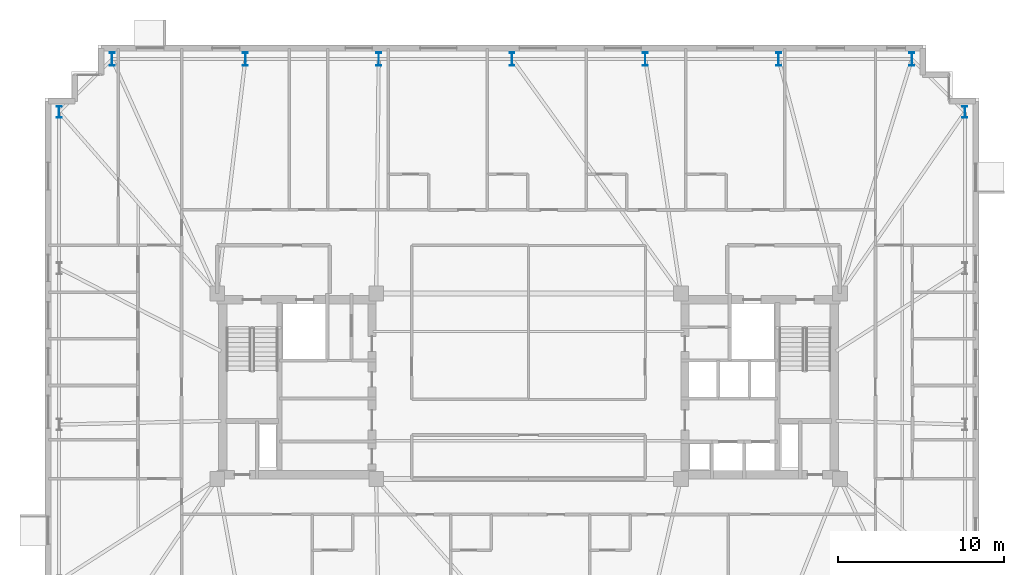
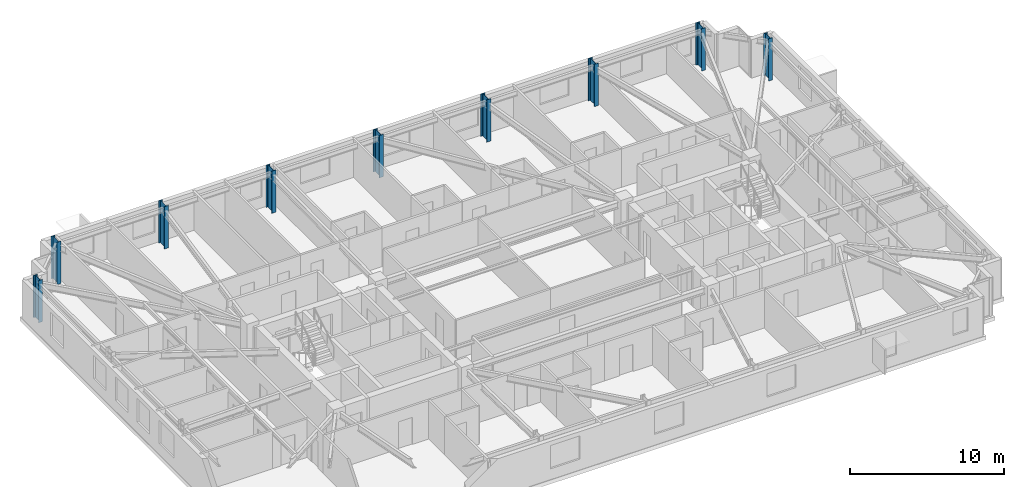
# One storey, part 2 of 18: 9 columns.
"""IFC4 building model written with IfcOpenShell, lengths in metres."""

from ifc_helpers import new_model, si_unit, direction, frame, origin, origin_2d, place, context, subcontext, project, spatial, i_section, extrude, material, material_profile, profile_set, type_object, element, save


model = new_model("IFC4")

# Units and contexts
model_context = context("Model", 3, precision=1e-05, world=origin(), true_north=direction((0.0, 1.0)))
body_context = subcontext(model_context, "Body", "Model", "MODEL_VIEW")
ifc_project = project(units=[si_unit("LENGTHUNIT", "METRE"), si_unit("AREAUNIT", "SQUARE_METRE"), si_unit("VOLUMEUNIT", "CUBIC_METRE"), si_unit("PLANEANGLEUNIT", "RADIAN"), si_unit("MASSUNIT", "GRAM", prefix="KILO")], contexts=[model_context])

# Site, building, storey
site_placement = place(None, origin())
site = spatial("IfcSite", under=ifc_project, at=site_placement, CompositionType="ELEMENT")
building_placement = place(site_placement, origin())
building = spatial("IfcBuilding", under=site, at=building_placement, Name="Qobustan Lattice House", CompositionType="ELEMENT")
storey_placement = place(building_placement, frame((0.0, 0.0, 134.35009765625)))
storey = spatial("IfcBuildingStorey", under=building, at=storey_placement, Name="L37", CompositionType="ELEMENT", Elevation=134.35009765625)

# Columns
ifc_material_1 = material(Name="Steel S355", Category="steel")
ifc_material_profile_1 = material_profile(ifc_material_1, i_section(OverallWidth=0.300048828125, OverallDepth=0.699951171875, WebThickness=0.01708984375, FlangeThickness=0.031982421875, FilletRadius=0.027099609375, at=origin_2d()), Name="HEB700")
ifc_profile_set_1 = profile_set([ifc_material_profile_1], Name="Steel S355")
column_type_1 = type_object("IfcColumnType", Name="COL-ST-HEB700", PredefinedType="COLUMN", material=ifc_profile_set_1)
for number, where, z_axis, x_axis, name in (
    (1, (26.35009765625, 16.550048828125, 0.0), (0.0, 0.0, 1.0), (1.0, 0.0, 0.0), "L37 B3 perimeter column E4"),
    (2, (-28.35009765625, 16.550048828125, 0.0), (0.0, 0.0, 1.0), (1.0, 0.0, 0.0), "L37 B3 perimeter column W1"),
):
    element("IfcColumn", number, at=place(storey_placement, frame(where, z_axis=z_axis, x_axis=x_axis)), inside=storey, type_object=column_type_1, Name=name, PredefinedType="COLUMN", context=body_context, shape_type="SweptSolid", body=[
        extrude(i_section(OverallWidth=0.300048828125, OverallDepth=0.699951171875, WebThickness=0.01708984375, FlangeThickness=0.031982421875, FilletRadius=0.027099609375, at=origin_2d()), origin(), (0.0, 0.0, 1.0), 3.349853515625),
    ])
ifc_material_2 = material(Name="Steel S355", Category="steel")
ifc_material_profile_2 = material_profile(ifc_material_2, i_section(OverallWidth=0.300048828125, OverallDepth=0.800048828125, WebThickness=0.017578125, FlangeThickness=0.032958984375, FilletRadius=0.030029296875, at=origin_2d()), Name="HEB800")
ifc_profile_set_2 = profile_set([ifc_material_profile_2], Name="Steel S355")
column_type_2 = type_object("IfcColumnType", Name="COL-ST-HEB800", PredefinedType="COLUMN", material=ifc_profile_set_2)
for number, where, z_axis, x_axis, name in (
    (3, (23.14990234375, 19.75, 0.0), (0.0, 0.0, 1.0), (1.0, 0.0, 0.0), "L37 B3 perimeter column N1"),
    (4, (15.10009765625, 19.75, 0.0), (0.0, 0.0, 1.0), (1.0, 0.0, 0.0), "L37 B3 perimeter column N2"),
    (5, (7.050048828125, 19.75, 0.0), (0.0, 0.0, 1.0), (1.0, 0.0, 0.0), "L37 B3 perimeter column N3"),
    (6, (-1.0, 19.75, 0.0), (0.0, 0.0, 1.0), (1.0, 0.0, 0.0), "L37 B3 perimeter column N4"),
    (7, (-9.050048828125, 19.75, 0.0), (0.0, 0.0, 1.0), (1.0, 0.0, 0.0), "L37 B3 perimeter column N5"),
    (8, (-17.10009765625, 19.75, 0.0), (0.0, 0.0, 1.0), (1.0, 0.0, 0.0), "L37 B3 perimeter column N6"),
    (9, (-25.14990234375, 19.75, 0.0), (0.0, 0.0, 1.0), (1.0, 0.0, 0.0), "L37 B3 perimeter column N7"),
):
    element("IfcColumn", number, at=place(storey_placement, frame(where, z_axis=z_axis, x_axis=x_axis)), inside=storey, type_object=column_type_2, Name=name, PredefinedType="COLUMN", context=body_context, shape_type="SweptSolid", body=[
        extrude(i_section(OverallWidth=0.300048828125, OverallDepth=0.800048828125, WebThickness=0.017578125, FlangeThickness=0.032958984375, FilletRadius=0.030029296875, at=origin_2d()), origin(), (0.0, 0.0, 1.0), 3.349853515625),
    ])

save(model, "model.ifc")
